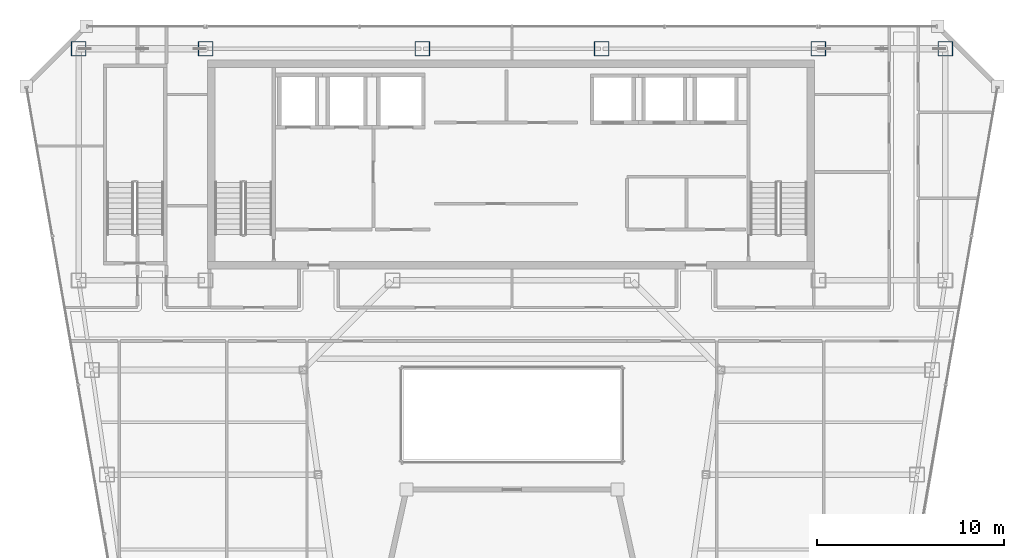
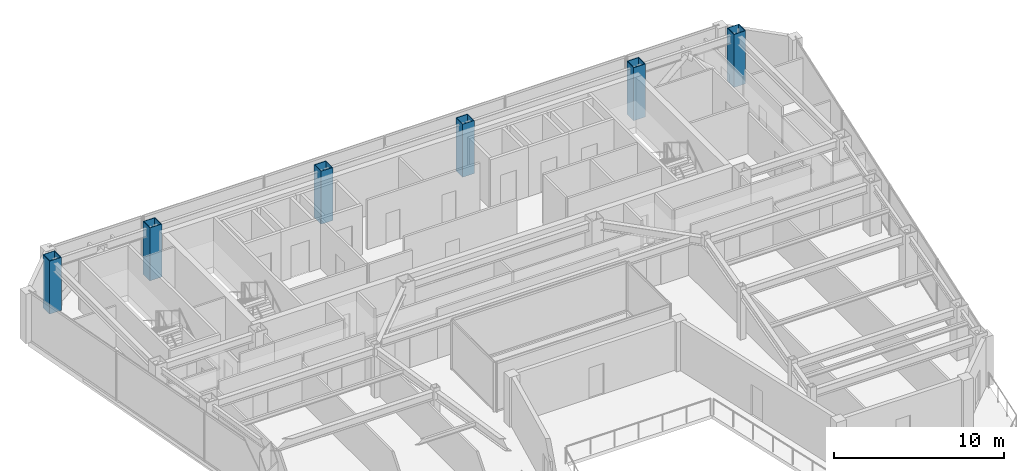
# One storey, part 2 of 31: 6 columns.
"""IFC4 building model written with IfcOpenShell, lengths in metres."""

from ifc_helpers import new_model, si_unit, direction, frame, origin, origin_2d, place, context, subcontext, project, spatial, hollow_rectangle, extrude, material, material_profile, profile_set, type_object, element, save


model = new_model("IFC4")

# Units and contexts
model_context = context("Model", 3, precision=1e-05, world=origin(), true_north=direction((0.0, 1.0)))
body_context = subcontext(model_context, "Body", "Model", "MODEL_VIEW")
ifc_project = project(units=[si_unit("LENGTHUNIT", "METRE"), si_unit("AREAUNIT", "SQUARE_METRE"), si_unit("VOLUMEUNIT", "CUBIC_METRE"), si_unit("PLANEANGLEUNIT", "RADIAN"), si_unit("MASSUNIT", "GRAM", prefix="KILO")], contexts=[model_context])

# Site, building, storey
site_placement = place(None, origin())
site = spatial("IfcSite", under=ifc_project, at=site_placement, CompositionType="ELEMENT")
building_placement = place(site_placement, origin())
building = spatial("IfcBuilding", under=site, at=building_placement, Name="Saevonmaru Cultural Tower", CompositionType="ELEMENT")
storey_placement = place(building_placement, frame((0.0, 0.0, 230.60009765625)))
storey = spatial("IfcBuildingStorey", under=building, at=storey_placement, Name="L53", CompositionType="ELEMENT", Elevation=230.60009765625)

# Columns
ifc_material = material(Name="Steel SM420", Category="steel")
ifc_material_profile = material_profile(ifc_material, hollow_rectangle(XDim=0.800048828125, YDim=0.800048828125, WallThickness=0.035888671875, at=origin_2d()), Name="BOX-800x800x36")
ifc_profile_set = profile_set([ifc_material_profile], Name="Steel SM420")
column_type = type_object("IfcColumnType", Name="COL-BOX-800", PredefinedType="COLUMN", material=ifc_profile_set)
for number, where, z_axis, x_axis, name in (
    (1, (6.800048828125, 54.800048828125, 0.0), (0.0, 0.0, 1.0), (1.0, 0.0, 0.0), "L53 Column TC-N1N"),
    (2, (13.60009765625, 54.800048828125, 0.0), (0.0, 0.0, 1.0), (1.0, 0.0, 0.0), "L53 Column TC-N2N"),
    (3, (25.199951171875, 54.800048828125, 0.0), (0.0, 0.0, 1.0), (1.0, 0.0, 0.0), "L53 Column TC-N3N"),
    (4, (34.800048828125, 54.800048828125, 0.0), (0.0, 0.0, 1.0), (1.0, 0.0, 0.0), "L53 Column TC-N4N"),
    (5, (46.39990234375, 54.800048828125, 0.0), (0.0, 0.0, 1.0), (1.0, 0.0, 0.0), "L53 Column TC-N5N"),
    (6, (53.199951171875, 54.800048828125, 0.0), (0.0, 0.0, 1.0), (1.0, 0.0, 0.0), "L53 Column TC-N6N"),
):
    element("IfcColumn", number, at=place(storey_placement, frame(where, z_axis=z_axis, x_axis=x_axis)), inside=storey, type_object=column_type, Name=name, PredefinedType="COLUMN", context=body_context, shape_type="SweptSolid", body=[
        extrude(hollow_rectangle(XDim=0.800048828125, YDim=0.800048828125, WallThickness=0.035888671875, at=origin_2d()), origin(), (0.0, 0.0, 1.0), 3.7998046875),
    ])

save(model, "model.ifc")
